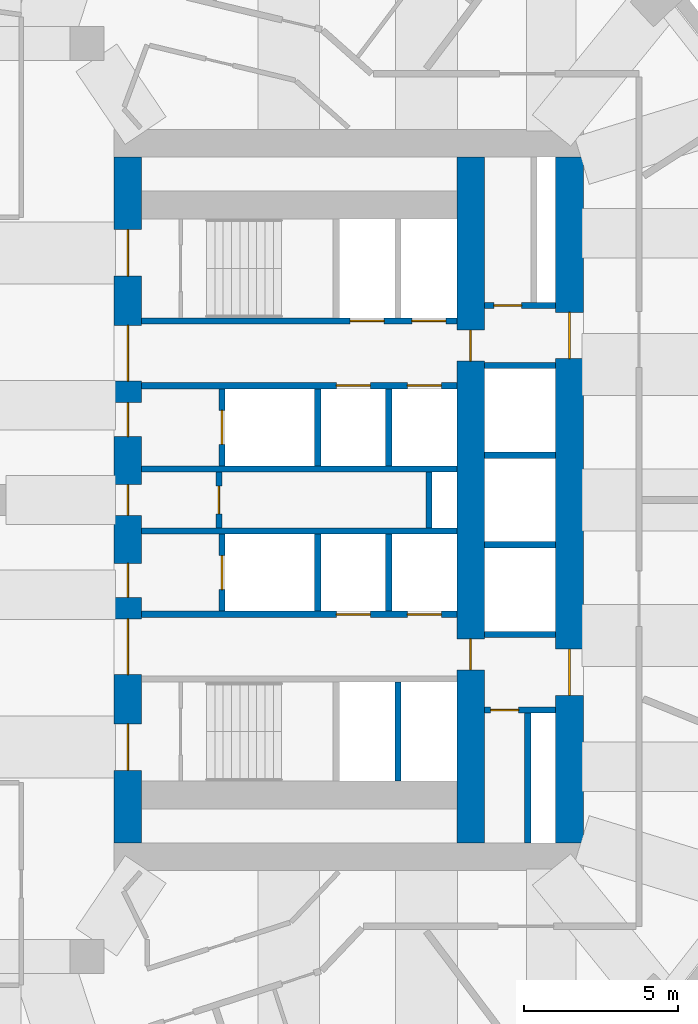
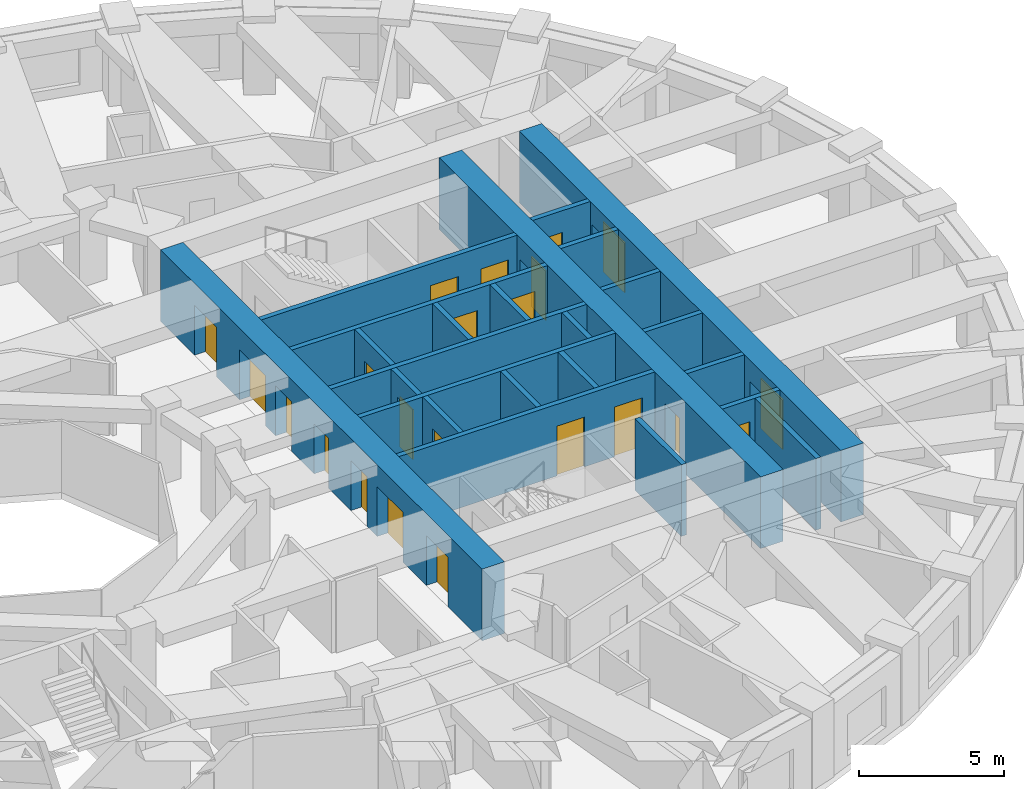
# One storey, part 6 of 13: 24 walls, 22 doors, 22 openings.
"""IFC4 building model written with IfcOpenShell, lengths in metres."""

from ifc_helpers import new_model, si_unit, direction, frame, frame_2d, origin, place, context, subcontext, project, spatial, rectangle, extrude, material, layer, layer_set, type_object, element, fill, save


model = new_model("IFC4")

# Units and contexts
model_context = context("Model", 3, precision=1e-05, world=origin(), true_north=direction((0.0, 1.0)))
body_context = subcontext(model_context, "Body", "Model", "MODEL_VIEW")
ifc_project = project(units=[si_unit("LENGTHUNIT", "METRE"), si_unit("AREAUNIT", "SQUARE_METRE"), si_unit("VOLUMEUNIT", "CUBIC_METRE"), si_unit("PLANEANGLEUNIT", "RADIAN"), si_unit("MASSUNIT", "GRAM", prefix="KILO")], contexts=[model_context])

# Site, building, storey
site_placement = place(None, origin())
site = spatial("IfcSite", under=ifc_project, at=site_placement, CompositionType="ELEMENT")
building_placement = place(site_placement, origin())
building = spatial("IfcBuilding", under=site, at=building_placement, Name="Taillehof Tower", CompositionType="ELEMENT")
storey_placement = place(building_placement, frame((0.0, 0.0, 41.5)))
storey = spatial("IfcBuildingStorey", under=building, at=storey_placement, Name="L10", CompositionType="ELEMENT", Elevation=41.5)

# Wall, opening, door
ifc_material_1 = material(Name="Calcium silicate masonry", Category="masonry")
ifc_layer_1 = layer(ifc_material_1, 0.199951171875)
ifc_layer_set_1 = layer_set([ifc_layer_1], Name="Compartment wall calcium silicate 200")
wall_type_1 = type_object("IfcWallType", Name="Compartment wall calcium silicate 200", PredefinedType="PARTITIONING", material=ifc_layer_set_1)
wall_1_placement = place(storey_placement, frame((7.39990234375, -0.89990234375, 0.0), z_axis=(0.0, 0.0, 1.0), x_axis=(0.0, 1.0, 0.0)))
wall_1 = element("IfcWall", 1, at=wall_1_placement, inside=storey, type_object=wall_type_1, Name="Compartment wall FW", PredefinedType="PARTITIONING", context=body_context, shape_type="SweptSolid", body=[
    extrude(rectangle(XDim=1.7998046875, YDim=0.199951171875, at=frame_2d((0.89990234375, 0.0))), origin(), (0.0, 0.0, 1.0), 3.02001953125),
])
opening_1_placement = place(wall_1_placement, frame((0.449951171875, 0.0, 0.0)))
opening_1 = element("IfcOpeningElement", 2, at=opening_1_placement, cuts=wall_1, Name="Opening D1014", PredefinedType="OPENING", context=body_context, shape_type="SweptSolid", body=[
    extrude(rectangle(XDim=0.89990234375, YDim=2.10009765625, at=frame_2d((0.449951171875, 1.050048828125))), frame((0.0, 0.10986328125, 0.0), z_axis=(0.0, -1.0, 0.0), x_axis=(1.0, 0.0, 0.0)), (0.0, 0.0, 1.0), 0.219970703125),
])
ifc_material_2 = material(Name="Steel-faced fire door", Category="steel")
door_type_1 = type_object("IfcDoorType", Name="Riser and service room door 900x2100", OperationType="SINGLE_SWING_LEFT", PredefinedType="DOOR", material=ifc_material_2)
door_1_placement = place(opening_1_placement, origin())
door_1 = element("IfcDoor", 3, at=door_1_placement, inside=storey, type_object=door_type_1, Name="Door Housekeeping Store", OperationType="SINGLE_SWING_RIGHT", OverallHeight=2.10009765625, OverallWidth=0.89990234375, PredefinedType="DOOR", context=body_context, shape_type="SweptSolid", body=[
    extrude(rectangle(XDim=0.89990234375, YDim=2.10009765625, at=frame_2d((0.449951171875, 1.050048828125))), frame((0.0, 0.02490234375, 0.0), z_axis=(0.0, -1.0, 0.0), x_axis=(1.0, 0.0, 0.0)), (0.0, 0.0, 1.0), 0.050048828125),
])
fill(opening_1, door_1)

# Wall
wall_2_placement = place(storey_placement, frame((14.199951171875, -0.89990234375, 0.0), z_axis=(0.0, 0.0, 1.0), x_axis=(0.0, 1.0, 0.0)))
element("IfcWall", 4, at=wall_2_placement, inside=storey, type_object=wall_type_1, Name="Compartment wall FW", PredefinedType="PARTITIONING", context=body_context, shape_type="SweptSolid", body=[
    extrude(rectangle(XDim=1.7998046875, YDim=0.199951171875, at=frame_2d((0.89990234375, 0.0))), origin(), (0.0, 0.0, 1.0), 3.02001953125),
])

# Wall, opening, door
wall_3_placement = place(storey_placement, frame((16.0, 6.300048828125, 0.0), z_axis=(0.0, 0.0, 1.0), x_axis=(1.0, 0.0, 0.0)))
wall_3 = element("IfcWall", 5, at=wall_3_placement, inside=storey, type_object=wall_type_1, Name="Compartment wall FW", PredefinedType="PARTITIONING", context=body_context, shape_type="SweptSolid", body=[
    extrude(rectangle(XDim=2.300048828125, YDim=0.199951171875, at=frame_2d((1.14990234375, 0.0))), origin(), (0.0, 0.0, 1.0), 3.02001953125),
])
opening_2_placement = place(wall_3_placement, frame((0.300048828125, 0.0, 0.0)))
opening_2 = element("IfcOpeningElement", 6, at=opening_2_placement, cuts=wall_3, Name="Opening D1016", PredefinedType="OPENING", context=body_context, shape_type="SweptSolid", body=[
    extrude(rectangle(XDim=0.89990234375, YDim=2.10009765625, at=frame_2d((0.449951171875, 1.050048828125))), frame((0.0, 0.10986328125, 0.0), z_axis=(0.0, -1.0, 0.0), x_axis=(1.0, 0.0, 0.0)), (0.0, 0.0, 1.0), 0.219970703125),
])
door_2_placement = place(opening_2_placement, origin())
door_2 = element("IfcDoor", 7, at=door_2_placement, inside=storey, type_object=door_type_1, Name="Door Waste Room", OperationType="SINGLE_SWING_RIGHT", OverallHeight=2.10009765625, OverallWidth=0.89990234375, PredefinedType="DOOR", context=body_context, shape_type="SweptSolid", body=[
    extrude(rectangle(XDim=0.89990234375, YDim=2.10009765625, at=frame_2d((0.449951171875, 1.050048828125))), frame((0.0, 0.02490234375, 0.0), z_axis=(0.0, -1.0, 0.0), x_axis=(1.0, 0.0, 0.0)), (0.0, 0.0, 1.0), 0.050048828125),
])
fill(opening_2, door_2)

wall_4_placement = place(storey_placement, frame((16.0, -6.800048828125, 0.0), z_axis=(0.0, 0.0, 1.0), x_axis=(1.0, 0.0, 0.0)))
wall_4 = element("IfcWall", 8, at=wall_4_placement, inside=storey, type_object=wall_type_1, Name="Compartment wall FW", PredefinedType="PARTITIONING", context=body_context, shape_type="SweptSolid", body=[
    extrude(rectangle(XDim=2.300048828125, YDim=0.199951171875, at=frame_2d((1.14990234375, 0.0))), origin(), (0.0, 0.0, 1.0), 3.02001953125),
])
opening_3_placement = place(wall_4_placement, frame((0.199951171875, 0.0, 0.0)))
opening_3 = element("IfcOpeningElement", 9, at=opening_3_placement, cuts=wall_4, Name="Opening D1018", PredefinedType="OPENING", context=body_context, shape_type="SweptSolid", body=[
    extrude(rectangle(XDim=0.89990234375, YDim=2.10009765625, at=frame_2d((0.449951171875, 1.050048828125))), frame((0.0, 0.10986328125, 0.0), z_axis=(0.0, -1.0, 0.0), x_axis=(1.0, 0.0, 0.0)), (0.0, 0.0, 1.0), 0.219970703125),
])
door_3_placement = place(opening_3_placement, origin())
door_3 = element("IfcDoor", 10, at=door_3_placement, inside=storey, type_object=door_type_1, Name="Door Pump Room", OperationType="SINGLE_SWING_LEFT", OverallHeight=2.10009765625, OverallWidth=0.89990234375, PredefinedType="DOOR", context=body_context, shape_type="SweptSolid", body=[
    extrude(rectangle(XDim=0.89990234375, YDim=2.10009765625, at=frame_2d((0.449951171875, 1.050048828125))), frame((0.0, 0.02490234375, 0.0), z_axis=(0.0, -1.0, 0.0), x_axis=(1.0, 0.0, 0.0)), (0.0, 0.0, 1.0), 0.050048828125),
])
fill(opening_3, door_3)

# Wall
wall_5_placement = place(storey_placement, frame((17.39990234375, -11.10009765625, 0.0), z_axis=(0.0, 0.0, 1.0), x_axis=(0.0, 1.0, 0.0)))
element("IfcWall", 11, at=wall_5_placement, inside=storey, type_object=wall_type_1, Name="Compartment wall FW", PredefinedType="PARTITIONING", context=body_context, shape_type="SweptSolid", body=[
    extrude(rectangle(XDim=4.2001953125, YDim=0.199951171875, at=frame_2d((2.10009765625, 0.0))), origin(), (0.0, 0.0, 1.0), 3.02001953125),
])

# Wall, openings, doors
ifc_material_3 = material(Name="Concrete C80/95", Category="concrete")
ifc_layer_2 = layer(ifc_material_3, 0.89990234375)
ifc_layer_set_2 = layer_set([ifc_layer_2], Name="Core wall C80/95 900")
wall_type_2 = type_object("IfcWallType", Name="Core wall C80/95 900", PredefinedType="SHEAR", material=ifc_layer_set_2)
wall_6_placement = place(storey_placement, frame((4.449951171875, -11.10009765625, 0.0), z_axis=(0.0, 0.0, 1.0), x_axis=(0.0, 1.0, 0.0)))
wall_6 = element("IfcWall", 12, at=wall_6_placement, inside=storey, type_object=wall_type_2, Name="Core wall CW01", PredefinedType="SHEAR", context=body_context, shape_type="SweptSolid", body=[
    extrude(rectangle(XDim=22.2001953125, YDim=0.89990234375, at=frame_2d((11.10009765625, 0.0))), origin(), (0.0, 0.0, 1.0), 3.02001953125),
])
opening_4_placement = place(wall_6_placement, frame((2.35009765625, 0.0, 0.0)))
opening_4 = element("IfcOpeningElement", 13, at=opening_4_placement, cuts=wall_6, Name="Opening D1001", PredefinedType="OPENING", context=body_context, shape_type="SweptSolid", body=[
    extrude(rectangle(XDim=1.5, YDim=2.10009765625, at=frame_2d((0.75, 1.050048828125))), frame((0.0, 0.4599609375, 0.0), z_axis=(0.0, -1.0, 0.0), x_axis=(1.0, 0.0, 0.0)), (0.0, 0.0, 1.0), 0.919921875),
])
opening_5_placement = place(wall_6_placement, frame((5.449951171875, 0.0, 0.0)))
opening_5 = element("IfcOpeningElement", 14, at=opening_5_placement, cuts=wall_6, Name="Opening D1002", PredefinedType="OPENING", context=body_context, shape_type="SweptSolid", body=[
    extrude(rectangle(XDim=1.800048828125, YDim=2.10009765625, at=frame_2d((0.89990234375, 1.050048828125))), frame((0.0, 0.4599609375, 0.0), z_axis=(0.0, -1.0, 0.0), x_axis=(1.0, 0.0, 0.0)), (0.0, 0.0, 1.0), 0.919921875),
])
opening_6_placement = place(wall_6_placement, frame((7.949951171875, 0.0, 0.0)))
opening_6 = element("IfcOpeningElement", 15, at=opening_6_placement, cuts=wall_6, Name="Opening D1003", PredefinedType="OPENING", context=body_context, shape_type="SweptSolid", body=[
    extrude(rectangle(XDim=1.10009765625, YDim=2.10009765625, at=frame_2d((0.550048828125, 1.050048828125))), frame((0.0, 0.4599609375, 0.0), z_axis=(0.0, -1.0, 0.0), x_axis=(1.0, 0.0, 0.0)), (0.0, 0.0, 1.0), 0.919921875),
])
opening_7_placement = place(wall_6_placement, frame((10.60009765625, 0.0, 0.0)))
opening_7 = element("IfcOpeningElement", 16, at=opening_7_placement, cuts=wall_6, Name="Opening D1004", PredefinedType="OPENING", context=body_context, shape_type="SweptSolid", body=[
    extrude(rectangle(XDim=1.0, YDim=2.10009765625, at=frame_2d((0.5, 1.050048828125))), frame((0.0, 0.4599609375, 0.0), z_axis=(0.0, -1.0, 0.0), x_axis=(1.0, 0.0, 0.0)), (0.0, 0.0, 1.0), 0.919921875),
])
opening_8_placement = place(wall_6_placement, frame((13.14990234375, 0.0, 0.0)))
opening_8 = element("IfcOpeningElement", 17, at=opening_8_placement, cuts=wall_6, Name="Opening D1005", PredefinedType="OPENING", context=body_context, shape_type="SweptSolid", body=[
    extrude(rectangle(XDim=1.10009765625, YDim=2.10009765625, at=frame_2d((0.550048828125, 1.050048828125))), frame((0.0, 0.4599609375, 0.0), z_axis=(0.0, -1.0, 0.0), x_axis=(1.0, 0.0, 0.0)), (0.0, 0.0, 1.0), 0.919921875),
])
opening_9_placement = place(wall_6_placement, frame((14.949951171875, 0.0, 0.0)))
opening_9 = element("IfcOpeningElement", 18, at=opening_9_placement, cuts=wall_6, Name="Opening D1006", PredefinedType="OPENING", context=body_context, shape_type="SweptSolid", body=[
    extrude(rectangle(XDim=1.800048828125, YDim=2.10009765625, at=frame_2d((0.89990234375, 1.050048828125))), frame((0.0, 0.4599609375, 0.0), z_axis=(0.0, -1.0, 0.0), x_axis=(1.0, 0.0, 0.0)), (0.0, 0.0, 1.0), 0.919921875),
])
opening_10_placement = place(wall_6_placement, frame((18.35009765625, 0.0, 0.0)))
opening_10 = element("IfcOpeningElement", 19, at=opening_10_placement, cuts=wall_6, Name="Opening D1007", PredefinedType="OPENING", context=body_context, shape_type="SweptSolid", body=[
    extrude(rectangle(XDim=1.5, YDim=2.10009765625, at=frame_2d((0.75, 1.050048828125))), frame((0.0, 0.4599609375, 0.0), z_axis=(0.0, -1.0, 0.0), x_axis=(1.0, 0.0, 0.0)), (0.0, 0.0, 1.0), 0.919921875),
])
ifc_material_4 = material(Name="Steel-faced fire door", Category="steel")
door_type_2 = type_object("IfcDoorType", Name="Firefighting lobby door 1100x2100", OperationType="SINGLE_SWING_RIGHT", PredefinedType="DOOR", material=ifc_material_4)
door_4_placement = place(opening_6_placement, origin())
door_4 = element("IfcDoor", 20, at=door_4_placement, inside=storey, type_object=door_type_2, Name="Firefighting lobby door FFL-S", OperationType="SINGLE_SWING_RIGHT", OverallHeight=2.10009765625, OverallWidth=1.10009765625, PredefinedType="DOOR", context=body_context, shape_type="SweptSolid", body=[
    extrude(rectangle(XDim=1.10009765625, YDim=2.10009765625, at=frame_2d((0.550048828125, 1.050048828125))), frame((0.0, 0.02490234375, 0.0), z_axis=(0.0, -1.0, 0.0), x_axis=(1.0, 0.0, 0.0)), (0.0, 0.0, 1.0), 0.050048828125),
])
fill(opening_6, door_4)
door_5_placement = place(opening_8_placement, origin())
door_5 = element("IfcDoor", 21, at=door_5_placement, inside=storey, type_object=door_type_2, Name="Firefighting lobby door FFL-N", OperationType="SINGLE_SWING_LEFT", OverallHeight=2.10009765625, OverallWidth=1.10009765625, PredefinedType="DOOR", context=body_context, shape_type="SweptSolid", body=[
    extrude(rectangle(XDim=1.10009765625, YDim=2.10009765625, at=frame_2d((0.550048828125, 1.050048828125))), frame((0.0, 0.02490234375, 0.0), z_axis=(0.0, -1.0, 0.0), x_axis=(1.0, 0.0, 0.0)), (0.0, 0.0, 1.0), 0.050048828125),
])
fill(opening_8, door_5)
ifc_material_5 = material(Name="Steel-faced fire door", Category="steel")
door_type_3 = type_object("IfcDoorType", Name="Lift lobby door 1800x2100", OperationType="DOUBLE_DOOR_SINGLE_SWING", PredefinedType="DOOR", material=ifc_material_5)
door_6_placement = place(opening_5_placement, origin())
door_6 = element("IfcDoor", 22, at=door_6_placement, inside=storey, type_object=door_type_3, Name="Lift lobby door LL-S", OperationType="DOUBLE_DOOR_SINGLE_SWING", OverallHeight=2.10009765625, OverallWidth=1.800048828125, PredefinedType="DOOR", context=body_context, shape_type="SweptSolid", body=[
    extrude(rectangle(XDim=1.800048828125, YDim=2.10009765625, at=frame_2d((0.89990234375, 1.050048828125))), frame((0.0, 0.02490234375, 0.0), z_axis=(0.0, -1.0, 0.0), x_axis=(1.0, 0.0, 0.0)), (0.0, 0.0, 1.0), 0.050048828125),
])
fill(opening_5, door_6)
door_7_placement = place(opening_9_placement, origin())
door_7 = element("IfcDoor", 23, at=door_7_placement, inside=storey, type_object=door_type_3, Name="Lift lobby door LL-N", OperationType="DOUBLE_DOOR_SINGLE_SWING", OverallHeight=2.10009765625, OverallWidth=1.800048828125, PredefinedType="DOOR", context=body_context, shape_type="SweptSolid", body=[
    extrude(rectangle(XDim=1.800048828125, YDim=2.10009765625, at=frame_2d((0.89990234375, 1.050048828125))), frame((0.0, 0.02490234375, 0.0), z_axis=(0.0, -1.0, 0.0), x_axis=(1.0, 0.0, 0.0)), (0.0, 0.0, 1.0), 0.050048828125),
])
fill(opening_9, door_7)
ifc_material_6 = material(Name="Steel-faced fire door", Category="steel")
door_type_4 = type_object("IfcDoorType", Name="Service door 1000x2100", OperationType="SINGLE_SWING_RIGHT", PredefinedType="DOOR", material=ifc_material_6)
door_8_placement = place(opening_7_placement, origin())
door_8 = element("IfcDoor", 24, at=door_8_placement, inside=storey, type_object=door_type_4, Name="Service door SV", OperationType="SINGLE_SWING_RIGHT", OverallHeight=2.10009765625, OverallWidth=1.0, PredefinedType="DOOR", context=body_context, shape_type="SweptSolid", body=[
    extrude(rectangle(XDim=1.0, YDim=2.10009765625, at=frame_2d((0.5, 1.050048828125))), frame((0.0, 0.02490234375, 0.0), z_axis=(0.0, -1.0, 0.0), x_axis=(1.0, 0.0, 0.0)), (0.0, 0.0, 1.0), 0.050048828125),
])
fill(opening_7, door_8)
ifc_material_7 = material(Name="Steel-faced fire door", Category="steel")
door_type_5 = type_object("IfcDoorType", Name="Stair door 1500x2100", OperationType="DOUBLE_DOOR_SINGLE_SWING", PredefinedType="DOOR", material=ifc_material_7)
door_9_placement = place(opening_4_placement, origin())
door_9 = element("IfcDoor", 25, at=door_9_placement, inside=storey, type_object=door_type_5, Name="Stair door S2", OperationType="DOUBLE_DOOR_SINGLE_SWING", OverallHeight=2.10009765625, OverallWidth=1.5, PredefinedType="DOOR", context=body_context, shape_type="SweptSolid", body=[
    extrude(rectangle(XDim=1.5, YDim=2.10009765625, at=frame_2d((0.75, 1.050048828125))), frame((0.0, 0.02490234375, 0.0), z_axis=(0.0, -1.0, 0.0), x_axis=(1.0, 0.0, 0.0)), (0.0, 0.0, 1.0), 0.050048828125),
])
fill(opening_4, door_9)
door_10_placement = place(opening_10_placement, origin())
door_10 = element("IfcDoor", 26, at=door_10_placement, inside=storey, type_object=door_type_5, Name="Stair door S1", OperationType="DOUBLE_DOOR_SINGLE_SWING", OverallHeight=2.10009765625, OverallWidth=1.5, PredefinedType="DOOR", context=body_context, shape_type="SweptSolid", body=[
    extrude(rectangle(XDim=1.5, YDim=2.10009765625, at=frame_2d((0.75, 1.050048828125))), frame((0.0, 0.02490234375, 0.0), z_axis=(0.0, -1.0, 0.0), x_axis=(1.0, 0.0, 0.0)), (0.0, 0.0, 1.0), 0.050048828125),
])
fill(opening_10, door_10)

wall_7_placement = place(storey_placement, frame((18.75, -11.10009765625, 0.0), z_axis=(0.0, 0.0, 1.0), x_axis=(0.0, 1.0, 0.0)))
wall_7 = element("IfcWall", 27, at=wall_7_placement, inside=storey, type_object=wall_type_2, Name="Core wall CW02", PredefinedType="SHEAR", context=body_context, shape_type="SweptSolid", body=[
    extrude(rectangle(XDim=22.2001953125, YDim=0.89990234375, at=frame_2d((11.10009765625, 0.0))), origin(), (0.0, 0.0, 1.0), 3.02001953125),
])
opening_11_placement = place(wall_7_placement, frame((15.675048828125, 0.0, 0.0)))
opening_11 = element("IfcOpeningElement", 28, at=opening_11_placement, cuts=wall_7, Name="Opening D1008", PredefinedType="OPENING", context=body_context, shape_type="SweptSolid", body=[
    extrude(rectangle(XDim=1.5, YDim=2.10009765625, at=frame_2d((0.75, 1.050048828125))), frame((0.0, 0.4599609375, 0.0), z_axis=(0.0, -1.0, 0.0), x_axis=(1.0, 0.0, 0.0)), (0.0, 0.0, 1.0), 0.919921875),
])
opening_12_placement = place(wall_7_placement, frame((4.77490234375, 0.0, 0.0)))
opening_12 = element("IfcOpeningElement", 29, at=opening_12_placement, cuts=wall_7, Name="Opening D1009", PredefinedType="OPENING", context=body_context, shape_type="SweptSolid", body=[
    extrude(rectangle(XDim=1.5, YDim=2.10009765625, at=frame_2d((0.75, 1.050048828125))), frame((0.0, 0.4599609375, 0.0), z_axis=(0.0, -1.0, 0.0), x_axis=(1.0, 0.0, 0.0)), (0.0, 0.0, 1.0), 0.919921875),
])
ifc_material_8 = material(Name="Steel-faced fire door", Category="steel")
door_type_6 = type_object("IfcDoorType", Name="Lift lobby east door 1500x2100", OperationType="DOUBLE_DOOR_SINGLE_SWING", PredefinedType="DOOR", material=ifc_material_8)
door_11_placement = place(opening_11_placement, origin())
door_11 = element("IfcDoor", 30, at=door_11_placement, inside=storey, type_object=door_type_6, Name="Lift lobby east door north", OperationType="DOUBLE_DOOR_SINGLE_SWING", OverallHeight=2.10009765625, OverallWidth=1.5, PredefinedType="DOOR", context=body_context, shape_type="SweptSolid", body=[
    extrude(rectangle(XDim=1.5, YDim=2.10009765625, at=frame_2d((0.75, 1.050048828125))), frame((0.0, 0.02490234375, 0.0), z_axis=(0.0, -1.0, 0.0), x_axis=(1.0, 0.0, 0.0)), (0.0, 0.0, 1.0), 0.050048828125),
])
fill(opening_11, door_11)
door_12_placement = place(opening_12_placement, origin())
door_12 = element("IfcDoor", 31, at=door_12_placement, inside=storey, type_object=door_type_6, Name="Lift lobby east door south", OperationType="DOUBLE_DOOR_SINGLE_SWING", OverallHeight=2.10009765625, OverallWidth=1.5, PredefinedType="DOOR", context=body_context, shape_type="SweptSolid", body=[
    extrude(rectangle(XDim=1.5, YDim=2.10009765625, at=frame_2d((0.75, 1.050048828125))), frame((0.0, 0.02490234375, 0.0), z_axis=(0.0, -1.0, 0.0), x_axis=(1.0, 0.0, 0.0)), (0.0, 0.0, 1.0), 0.050048828125),
])
fill(opening_12, door_12)

wall_8_placement = place(storey_placement, frame((15.550048828125, -11.10009765625, 0.0), z_axis=(0.0, 0.0, 1.0), x_axis=(0.0, 1.0, 0.0)))
wall_8 = element("IfcWall", 32, at=wall_8_placement, inside=storey, type_object=wall_type_2, Name="Core wall CW05", PredefinedType="SHEAR", context=body_context, shape_type="SweptSolid", body=[
    extrude(rectangle(XDim=22.2001953125, YDim=0.89990234375, at=frame_2d((11.10009765625, 0.0))), origin(), (0.0, 0.0, 1.0), 3.02001953125),
])
opening_13_placement = place(wall_8_placement, frame((15.60009765625, 0.0, 0.0)))
opening_13 = element("IfcOpeningElement", 33, at=opening_13_placement, cuts=wall_8, Name="Opening D1015", PredefinedType="OPENING", context=body_context, shape_type="SweptSolid", body=[
    extrude(rectangle(XDim=1.0, YDim=2.10009765625, at=frame_2d((0.5, 1.050048828125))), frame((0.0, 0.4599609375, 0.0), z_axis=(0.0, -1.0, 0.0), x_axis=(1.0, 0.0, 0.0)), (0.0, 0.0, 1.0), 0.919921875),
])
opening_14_placement = place(wall_8_placement, frame((5.60009765625, 0.0, 0.0)))
opening_14 = element("IfcOpeningElement", 34, at=opening_14_placement, cuts=wall_8, Name="Opening D1017", PredefinedType="OPENING", context=body_context, shape_type="SweptSolid", body=[
    extrude(rectangle(XDim=1.0, YDim=2.10009765625, at=frame_2d((0.5, 1.050048828125))), frame((0.0, 0.4599609375, 0.0), z_axis=(0.0, -1.0, 0.0), x_axis=(1.0, 0.0, 0.0)), (0.0, 0.0, 1.0), 0.919921875),
])
door_13_placement = place(opening_13_placement, origin())
door_13 = element("IfcDoor", 35, at=door_13_placement, inside=storey, type_object=door_type_4, Name="Service door strip", OperationType="SINGLE_SWING_RIGHT", OverallHeight=2.10009765625, OverallWidth=1.0, PredefinedType="DOOR", context=body_context, shape_type="SweptSolid", body=[
    extrude(rectangle(XDim=1.0, YDim=2.10009765625, at=frame_2d((0.5, 1.050048828125))), frame((0.0, 0.02490234375, 0.0), z_axis=(0.0, -1.0, 0.0), x_axis=(1.0, 0.0, 0.0)), (0.0, 0.0, 1.0), 0.050048828125),
])
fill(opening_13, door_13)
door_14_placement = place(opening_14_placement, origin())
door_14 = element("IfcDoor", 36, at=door_14_placement, inside=storey, type_object=door_type_4, Name="Service door strip", OperationType="SINGLE_SWING_LEFT", OverallHeight=2.10009765625, OverallWidth=1.0, PredefinedType="DOOR", context=body_context, shape_type="SweptSolid", body=[
    extrude(rectangle(XDim=1.0, YDim=2.10009765625, at=frame_2d((0.5, 1.050048828125))), frame((0.0, 0.02490234375, 0.0), z_axis=(0.0, -1.0, 0.0), x_axis=(1.0, 0.0, 0.0)), (0.0, 0.0, 1.0), 0.050048828125),
])
fill(opening_14, door_14)

ifc_material_9 = material(Name="Concrete C50/60", Category="concrete")
ifc_layer_3 = layer(ifc_material_9, 0.199951171875)
ifc_layer_set_3 = layer_set([ifc_layer_3], Name="Shaft wall C50/60 200")
wall_type_3 = type_object("IfcWallType", Name="Shaft wall C50/60 200", PredefinedType="SHEAR", material=ifc_layer_set_3)
wall_9_placement = place(storey_placement, frame((4.89990234375, 5.800048828125, 0.0), z_axis=(0.0, 0.0, 1.0), x_axis=(1.0, 0.0, 0.0)))
wall_9 = element("IfcWall", 37, at=wall_9_placement, inside=storey, type_object=wall_type_3, Name="Shaft wall SW", PredefinedType="SHEAR", context=body_context, shape_type="SweptSolid", body=[
    extrude(rectangle(XDim=10.2001953125, YDim=0.199951171875, at=frame_2d((5.10009765625, 0.0))), origin(), (0.0, 0.0, 1.0), 3.02001953125),
])
opening_15_placement = place(wall_9_placement, frame((6.75, 0.0, 0.0)))
opening_15 = element("IfcOpeningElement", 38, at=opening_15_placement, cuts=wall_9, Name="Opening LD1", PredefinedType="OPENING", context=body_context, shape_type="SweptSolid", body=[
    extrude(rectangle(XDim=1.10009765625, YDim=2.10009765625, at=frame_2d((0.550048828125, 1.050048828125))), frame((0.0, 0.10986328125, 0.0), z_axis=(0.0, -1.0, 0.0), x_axis=(1.0, 0.0, 0.0)), (0.0, 0.0, 1.0), 0.219970703125),
])
opening_16_placement = place(wall_9_placement, frame((8.75, 0.0, 0.0)))
opening_16 = element("IfcOpeningElement", 39, at=opening_16_placement, cuts=wall_9, Name="Opening LD1", PredefinedType="OPENING", context=body_context, shape_type="SweptSolid", body=[
    extrude(rectangle(XDim=1.10009765625, YDim=2.10009765625, at=frame_2d((0.550048828125, 1.050048828125))), frame((0.0, 0.10986328125, 0.0), z_axis=(0.0, -1.0, 0.0), x_axis=(1.0, 0.0, 0.0)), (0.0, 0.0, 1.0), 0.219970703125),
])
ifc_material_10 = material(Name="Stainless steel", Category="steel")
door_type_7 = type_object("IfcDoorType", Name="Lift landing door LD1 1100x2100", OperationType="DOUBLE_DOOR_SLIDING", PredefinedType="DOOR", material=ifc_material_10)
door_15_placement = place(opening_15_placement, origin())
door_15 = element("IfcDoor", 40, at=door_15_placement, inside=storey, type_object=door_type_7, Name="Landing door LR1", OperationType="DOUBLE_DOOR_SLIDING", OverallHeight=2.10009765625, OverallWidth=1.10009765625, PredefinedType="DOOR", context=body_context, shape_type="SweptSolid", body=[
    extrude(rectangle(XDim=1.10009765625, YDim=2.10009765625, at=frame_2d((0.550048828125, 1.050048828125))), frame((0.0, 0.02490234375, 0.0), z_axis=(0.0, -1.0, 0.0), x_axis=(1.0, 0.0, 0.0)), (0.0, 0.0, 1.0), 0.050048828125),
])
fill(opening_15, door_15)
door_16_placement = place(opening_16_placement, origin())
door_16 = element("IfcDoor", 41, at=door_16_placement, inside=storey, type_object=door_type_7, Name="Landing door LR2", OperationType="DOUBLE_DOOR_SLIDING", OverallHeight=2.10009765625, OverallWidth=1.10009765625, PredefinedType="DOOR", context=body_context, shape_type="SweptSolid", body=[
    extrude(rectangle(XDim=1.10009765625, YDim=2.10009765625, at=frame_2d((0.550048828125, 1.050048828125))), frame((0.0, 0.02490234375, 0.0), z_axis=(0.0, -1.0, 0.0), x_axis=(1.0, 0.0, 0.0)), (0.0, 0.0, 1.0), 0.050048828125),
])
fill(opening_16, door_16)

wall_10_placement = place(storey_placement, frame((4.89990234375, 3.699951171875, 0.0), z_axis=(0.0, 0.0, 1.0), x_axis=(1.0, 0.0, 0.0)))
wall_10 = element("IfcWall", 42, at=wall_10_placement, inside=storey, type_object=wall_type_3, Name="Shaft wall SW", PredefinedType="SHEAR", context=body_context, shape_type="SweptSolid", body=[
    extrude(rectangle(XDim=10.2001953125, YDim=0.199951171875, at=frame_2d((5.10009765625, 0.0))), origin(), (0.0, 0.0, 1.0), 3.02001953125),
])
opening_17_placement = place(wall_10_placement, frame((6.300048828125, 0.0, 0.0)))
opening_17 = element("IfcOpeningElement", 43, at=opening_17_placement, cuts=wall_10, Name="Opening LD1", PredefinedType="OPENING", context=body_context, shape_type="SweptSolid", body=[
    extrude(rectangle(XDim=1.10009765625, YDim=2.10009765625, at=frame_2d((0.550048828125, 1.050048828125))), frame((0.0, 0.10986328125, 0.0), z_axis=(0.0, -1.0, 0.0), x_axis=(1.0, 0.0, 0.0)), (0.0, 0.0, 1.0), 0.219970703125),
])
opening_18_placement = place(wall_10_placement, frame((8.60009765625, 0.0, 0.0)))
opening_18 = element("IfcOpeningElement", 44, at=opening_18_placement, cuts=wall_10, Name="Opening LD1", PredefinedType="OPENING", context=body_context, shape_type="SweptSolid", body=[
    extrude(rectangle(XDim=1.10009765625, YDim=2.10009765625, at=frame_2d((0.550048828125, 1.050048828125))), frame((0.0, 0.10986328125, 0.0), z_axis=(0.0, -1.0, 0.0), x_axis=(1.0, 0.0, 0.0)), (0.0, 0.0, 1.0), 0.219970703125),
])
door_17_placement = place(opening_17_placement, origin())
door_17 = element("IfcDoor", 45, at=door_17_placement, inside=storey, type_object=door_type_7, Name="Landing door LR3", OperationType="DOUBLE_DOOR_SLIDING", OverallHeight=2.10009765625, OverallWidth=1.10009765625, PredefinedType="DOOR", context=body_context, shape_type="SweptSolid", body=[
    extrude(rectangle(XDim=1.10009765625, YDim=2.10009765625, at=frame_2d((0.550048828125, 1.050048828125))), frame((0.0, 0.02490234375, 0.0), z_axis=(0.0, -1.0, 0.0), x_axis=(1.0, 0.0, 0.0)), (0.0, 0.0, 1.0), 0.050048828125),
])
fill(opening_17, door_17)
door_18_placement = place(opening_18_placement, origin())
door_18 = element("IfcDoor", 46, at=door_18_placement, inside=storey, type_object=door_type_7, Name="Landing door LR4", OperationType="DOUBLE_DOOR_SLIDING", OverallHeight=2.10009765625, OverallWidth=1.10009765625, PredefinedType="DOOR", context=body_context, shape_type="SweptSolid", body=[
    extrude(rectangle(XDim=1.10009765625, YDim=2.10009765625, at=frame_2d((0.550048828125, 1.050048828125))), frame((0.0, 0.02490234375, 0.0), z_axis=(0.0, -1.0, 0.0), x_axis=(1.0, 0.0, 0.0)), (0.0, 0.0, 1.0), 0.050048828125),
])
fill(opening_18, door_18)

# Walls
for number, where, z_axis, x_axis, name in (
    (47, (4.89990234375, 1.0, 0.0), (0.0, 0.0, 1.0), (1.0, 0.0, 0.0), "Shaft wall SW"),
    (48, (4.89990234375, -1.0, 0.0), (0.0, 0.0, 1.0), (1.0, 0.0, 0.0), "Shaft wall SW"),
):
    element("IfcWall", number, at=place(storey_placement, frame(where, z_axis=z_axis, x_axis=x_axis)), inside=storey, type_object=wall_type_3, Name=name, PredefinedType="SHEAR", context=body_context, shape_type="SweptSolid", body=[
        extrude(rectangle(XDim=10.2001953125, YDim=0.199951171875, at=frame_2d((5.10009765625, 0.0))), origin(), (0.0, 0.0, 1.0), 3.02001953125),
    ])

# Wall, openings, doors
wall_11_placement = place(storey_placement, frame((4.89990234375, -3.699951171875, 0.0), z_axis=(0.0, 0.0, 1.0), x_axis=(1.0, 0.0, 0.0)))
wall_11 = element("IfcWall", 49, at=wall_11_placement, inside=storey, type_object=wall_type_3, Name="Shaft wall SW", PredefinedType="SHEAR", context=body_context, shape_type="SweptSolid", body=[
    extrude(rectangle(XDim=10.2001953125, YDim=0.199951171875, at=frame_2d((5.10009765625, 0.0))), origin(), (0.0, 0.0, 1.0), 3.02001953125),
])
opening_19_placement = place(wall_11_placement, frame((6.300048828125, 0.0, 0.0)))
opening_19 = element("IfcOpeningElement", 50, at=opening_19_placement, cuts=wall_11, Name="Opening LD1", PredefinedType="OPENING", context=body_context, shape_type="SweptSolid", body=[
    extrude(rectangle(XDim=1.10009765625, YDim=2.10009765625, at=frame_2d((0.550048828125, 1.050048828125))), frame((0.0, 0.10986328125, 0.0), z_axis=(0.0, -1.0, 0.0), x_axis=(1.0, 0.0, 0.0)), (0.0, 0.0, 1.0), 0.219970703125),
])
opening_20_placement = place(wall_11_placement, frame((8.60009765625, 0.0, 0.0)))
opening_20 = element("IfcOpeningElement", 51, at=opening_20_placement, cuts=wall_11, Name="Opening LD1", PredefinedType="OPENING", context=body_context, shape_type="SweptSolid", body=[
    extrude(rectangle(XDim=1.10009765625, YDim=2.10009765625, at=frame_2d((0.550048828125, 1.050048828125))), frame((0.0, 0.10986328125, 0.0), z_axis=(0.0, -1.0, 0.0), x_axis=(1.0, 0.0, 0.0)), (0.0, 0.0, 1.0), 0.219970703125),
])
door_19_placement = place(opening_19_placement, origin())
door_19 = element("IfcDoor", 52, at=door_19_placement, inside=storey, type_object=door_type_7, Name="Landing door LR5", OperationType="DOUBLE_DOOR_SLIDING", OverallHeight=2.10009765625, OverallWidth=1.10009765625, PredefinedType="DOOR", context=body_context, shape_type="SweptSolid", body=[
    extrude(rectangle(XDim=1.10009765625, YDim=2.10009765625, at=frame_2d((0.550048828125, 1.050048828125))), frame((0.0, 0.02490234375, 0.0), z_axis=(0.0, -1.0, 0.0), x_axis=(1.0, 0.0, 0.0)), (0.0, 0.0, 1.0), 0.050048828125),
])
fill(opening_19, door_19)
door_20_placement = place(opening_20_placement, origin())
door_20 = element("IfcDoor", 53, at=door_20_placement, inside=storey, type_object=door_type_7, Name="Landing door LR6", OperationType="DOUBLE_DOOR_SLIDING", OverallHeight=2.10009765625, OverallWidth=1.10009765625, PredefinedType="DOOR", context=body_context, shape_type="SweptSolid", body=[
    extrude(rectangle(XDim=1.10009765625, YDim=2.10009765625, at=frame_2d((0.550048828125, 1.050048828125))), frame((0.0, 0.02490234375, 0.0), z_axis=(0.0, -1.0, 0.0), x_axis=(1.0, 0.0, 0.0)), (0.0, 0.0, 1.0), 0.050048828125),
])
fill(opening_20, door_20)

# Wall
wall_12_placement = place(storey_placement, frame((13.199951171875, -9.10009765625, 0.0), z_axis=(0.0, 0.0, 1.0), x_axis=(0.0, 1.0, 0.0)))
element("IfcWall", 54, at=wall_12_placement, inside=storey, type_object=wall_type_3, Name="Shaft wall SW", PredefinedType="SHEAR", context=body_context, shape_type="SweptSolid", body=[
    extrude(rectangle(XDim=3.2001953125, YDim=0.199951171875, at=frame_2d((1.60009765625, 0.0))), origin(), (0.0, 0.0, 1.0), 3.02001953125),
])

# Wall, opening, door
wall_13_placement = place(storey_placement, frame((7.5, 1.10009765625, 0.0), z_axis=(0.0, 0.0, 1.0), x_axis=(0.0, 1.0, 0.0)))
wall_13 = element("IfcWall", 55, at=wall_13_placement, inside=storey, type_object=wall_type_3, Name="Shaft wall SW", PredefinedType="SHEAR", context=body_context, shape_type="SweptSolid", body=[
    extrude(rectangle(XDim=2.5, YDim=0.199951171875, at=frame_2d((1.25, 0.0))), origin(), (0.0, 0.0, 1.0), 3.02001953125),
])
opening_21_placement = place(wall_13_placement, frame((0.699951171875, 0.0, 0.0)))
opening_21 = element("IfcOpeningElement", 56, at=opening_21_placement, cuts=wall_13, Name="Opening LD1", PredefinedType="OPENING", context=body_context, shape_type="SweptSolid", body=[
    extrude(rectangle(XDim=1.10009765625, YDim=2.10009765625, at=frame_2d((0.550048828125, 1.050048828125))), frame((0.0, 0.10986328125, 0.0), z_axis=(0.0, -1.0, 0.0), x_axis=(1.0, 0.0, 0.0)), (0.0, 0.0, 1.0), 0.219970703125),
])
door_21_placement = place(opening_21_placement, origin())
door_21 = element("IfcDoor", 57, at=door_21_placement, inside=storey, type_object=door_type_7, Name="Landing door FF1", OperationType="DOUBLE_DOOR_SLIDING", OverallHeight=2.10009765625, OverallWidth=1.10009765625, PredefinedType="DOOR", context=body_context, shape_type="SweptSolid", body=[
    extrude(rectangle(XDim=1.10009765625, YDim=2.10009765625, at=frame_2d((0.550048828125, 1.050048828125))), frame((0.0, 0.02490234375, 0.0), z_axis=(0.0, -1.0, 0.0), x_axis=(1.0, 0.0, 0.0)), (0.0, 0.0, 1.0), 0.050048828125),
])
fill(opening_21, door_21)

wall_14_placement = place(storey_placement, frame((7.5, -3.60009765625, 0.0), z_axis=(0.0, 0.0, 1.0), x_axis=(0.0, 1.0, 0.0)))
wall_14 = element("IfcWall", 58, at=wall_14_placement, inside=storey, type_object=wall_type_3, Name="Shaft wall SW", PredefinedType="SHEAR", context=body_context, shape_type="SweptSolid", body=[
    extrude(rectangle(XDim=2.5, YDim=0.199951171875, at=frame_2d((1.25, 0.0))), origin(), (0.0, 0.0, 1.0), 3.02001953125),
])
opening_22_placement = place(wall_14_placement, frame((0.699951171875, 0.0, 0.0)))
opening_22 = element("IfcOpeningElement", 59, at=opening_22_placement, cuts=wall_14, Name="Opening LD1", PredefinedType="OPENING", context=body_context, shape_type="SweptSolid", body=[
    extrude(rectangle(XDim=1.10009765625, YDim=2.10009765625, at=frame_2d((0.550048828125, 1.050048828125))), frame((0.0, 0.10986328125, 0.0), z_axis=(0.0, -1.0, 0.0), x_axis=(1.0, 0.0, 0.0)), (0.0, 0.0, 1.0), 0.219970703125),
])
door_22_placement = place(opening_22_placement, origin())
door_22 = element("IfcDoor", 60, at=door_22_placement, inside=storey, type_object=door_type_7, Name="Landing door FF2", OperationType="DOUBLE_DOOR_SLIDING", OverallHeight=2.10009765625, OverallWidth=1.10009765625, PredefinedType="DOOR", context=body_context, shape_type="SweptSolid", body=[
    extrude(rectangle(XDim=1.10009765625, YDim=2.10009765625, at=frame_2d((0.550048828125, 1.050048828125))), frame((0.0, 0.02490234375, 0.0), z_axis=(0.0, -1.0, 0.0), x_axis=(1.0, 0.0, 0.0)), (0.0, 0.0, 1.0), 0.050048828125),
])
fill(opening_22, door_22)

# Walls
for number, where, z_axis, x_axis, name in (
    (61, (10.60009765625, 1.10009765625, 0.0), (0.0, 0.0, 1.0), (0.0, 1.0, 0.0), "Shaft wall SW"),
    (62, (10.60009765625, -3.60009765625, 0.0), (0.0, 0.0, 1.0), (0.0, 1.0, 0.0), "Shaft wall SW"),
    (63, (12.89990234375, 1.10009765625, 0.0), (0.0, 0.0, 1.0), (0.0, 1.0, 0.0), "Shaft wall SW"),
    (64, (12.89990234375, -3.60009765625, 0.0), (0.0, 0.0, 1.0), (0.0, 1.0, 0.0), "Shaft wall SW"),
):
    element("IfcWall", number, at=place(storey_placement, frame(where, z_axis=z_axis, x_axis=x_axis)), inside=storey, type_object=wall_type_3, Name=name, PredefinedType="SHEAR", context=body_context, shape_type="SweptSolid", body=[
        extrude(rectangle(XDim=2.5, YDim=0.199951171875, at=frame_2d((1.25, 0.0))), origin(), (0.0, 0.0, 1.0), 3.02001953125),
    ])
for number, where, z_axis, x_axis, name in (
    (65, (16.0, -4.35009765625, 0.0), (0.0, 0.0, 1.0), (1.0, 0.0, 0.0), "Shaft wall SW"),
    (66, (16.0, -1.449951171875, 0.0), (0.0, 0.0, 1.0), (1.0, 0.0, 0.0), "Shaft wall SW"),
    (67, (16.0, 1.449951171875, 0.0), (0.0, 0.0, 1.0), (1.0, 0.0, 0.0), "Shaft wall SW"),
    (68, (16.0, 4.35009765625, 0.0), (0.0, 0.0, 1.0), (1.0, 0.0, 0.0), "Shaft wall SW"),
):
    element("IfcWall", number, at=place(storey_placement, frame(where, z_axis=z_axis, x_axis=x_axis)), inside=storey, type_object=wall_type_3, Name=name, PredefinedType="SHEAR", context=body_context, shape_type="SweptSolid", body=[
        extrude(rectangle(XDim=2.300048828125, YDim=0.199951171875, at=frame_2d((1.14990234375, 0.0))), origin(), (0.0, 0.0, 1.0), 3.02001953125),
    ])

save(model, "model.ifc")
